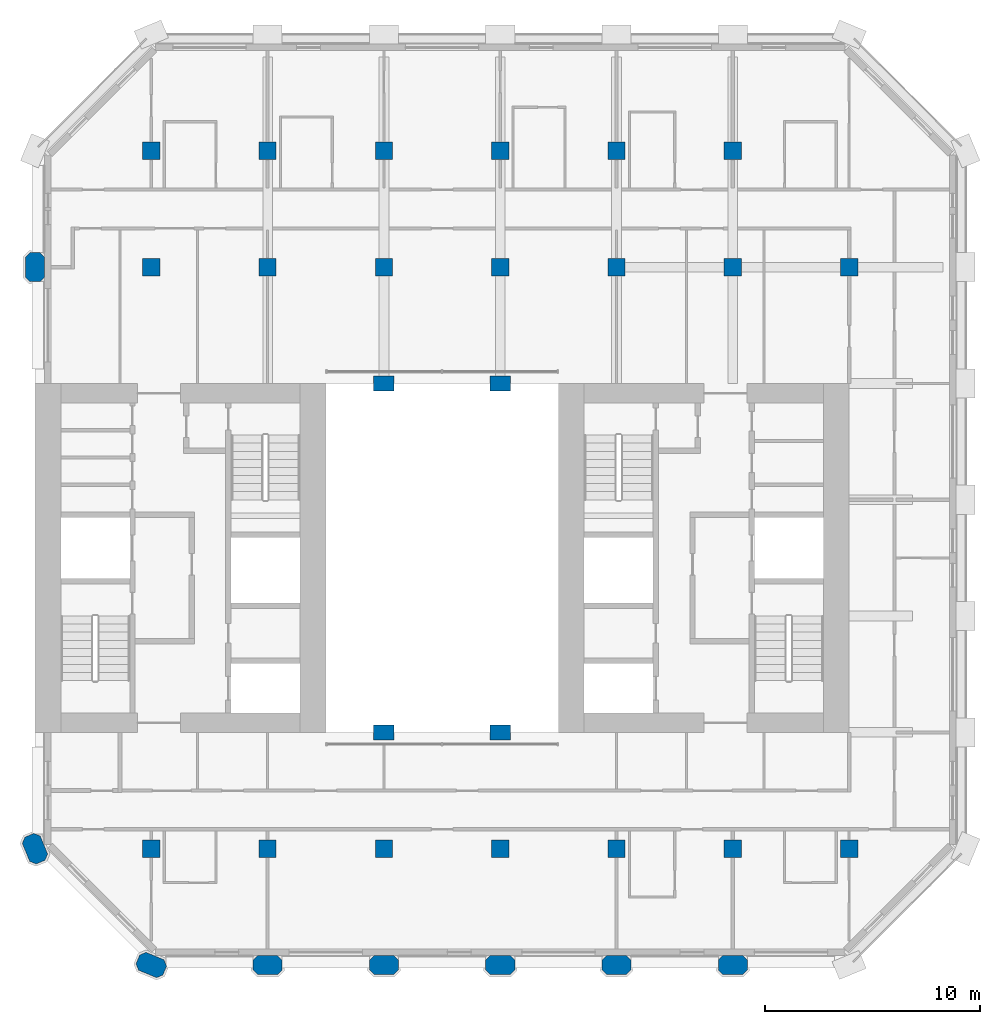
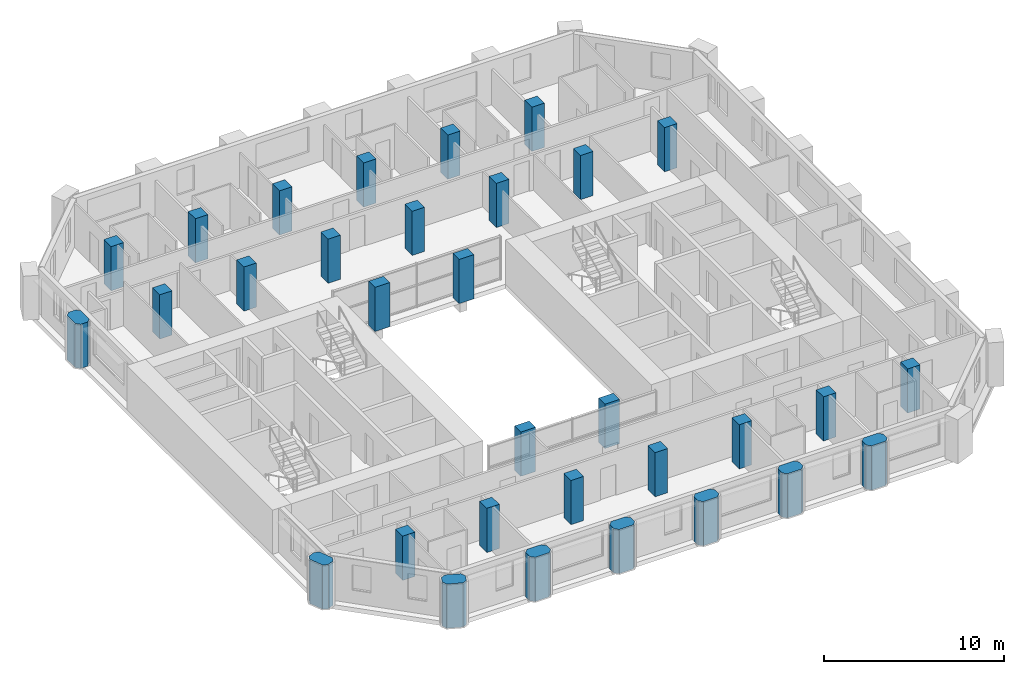
# One storey, part 1 of 12: 32 columns.
"""IFC4 building model written with IfcOpenShell, lengths in metres."""

from ifc_helpers import new_model, si_unit, direction, frame, origin, origin_2d, place, context, subcontext, project, spatial, polyline, rectangle, outline, extrude, material, material_profile, profile_set, type_object, element, save


model = new_model("IFC4")

# Units and contexts
model_context = context("Model", 3, precision=1e-05, world=origin(), true_north=direction((0.0, 1.0)))
body_context = subcontext(model_context, "Body", "Model", "MODEL_VIEW")
ifc_project = project(units=[si_unit("LENGTHUNIT", "METRE"), si_unit("AREAUNIT", "SQUARE_METRE"), si_unit("VOLUMEUNIT", "CUBIC_METRE"), si_unit("PLANEANGLEUNIT", "RADIAN"), si_unit("MASSUNIT", "GRAM", prefix="KILO")], contexts=[model_context])

# Site, building, storey
site_placement = place(None, origin())
site = spatial("IfcSite", under=ifc_project, at=site_placement, CompositionType="ELEMENT")
building_placement = place(site_placement, origin())
building = spatial("IfcBuilding", under=site, at=building_placement, Name="Tabaq Tower and Sports Hall", CompositionType="ELEMENT")
storey_placement = place(building_placement, frame((0.0, 0.0, 197.199951171875)))
storey = spatial("IfcBuildingStorey", under=building, at=storey_placement, Name="L48", CompositionType="ELEMENT", Elevation=197.199951171875)

# Columns
ifc_material_1 = material(Name="Concrete C50/60", Category="concrete")
ifc_material_profile_1 = material_profile(ifc_material_1, rectangle(XDim=0.949951171875, YDim=0.699951171875, at=origin_2d()), Name="ATRIUM COLUMN 950x700")
ifc_profile_set_1 = profile_set([ifc_material_profile_1], Name="Concrete C50/60")
column_type_1 = type_object("IfcColumnType", Name="RC COLUMN ATRIUM COLUMN 950x700 C50/60", PredefinedType="COLUMN", material=ifc_profile_set_1)
for number, where, z_axis, x_axis, name in (
    (1, (21.60009765625, 16.199951171875, 0.0), (0.0, 0.0, 1.0), (1.0, 0.0, 0.0), "Atrium Column 5/D L48"),
    (2, (27.0, 16.199951171875, 0.0), (0.0, 0.0, 1.0), (1.0, 0.0, 0.0), "Atrium Column 6/D L48"),
    (3, (21.60009765625, 32.39990234375, 0.0), (0.0, 0.0, 1.0), (1.0, 0.0, 0.0), "Atrium Column 5/G L48"),
    (4, (27.0, 32.39990234375, 0.0), (0.0, 0.0, 1.0), (1.0, 0.0, 0.0), "Atrium Column 6/G L48"),
):
    element("IfcColumn", number, at=place(storey_placement, frame(where, z_axis=z_axis, x_axis=x_axis)), inside=storey, type_object=column_type_1, Name=name, PredefinedType="COLUMN", context=body_context, shape_type="SweptSolid", body=[
        extrude(rectangle(XDim=0.949951171875, YDim=0.699951171875, at=origin_2d()), origin(), (0.0, 0.0, 1.0), 3.0),
    ])
ifc_material_2 = material(Name="Concrete C50/60", Category="concrete")
ifc_material_profile_2 = material_profile(ifc_material_2, rectangle(XDim=0.800048828125, YDim=0.800048828125, at=origin_2d()), Name="COLUMN 800x800")
ifc_profile_set_2 = profile_set([ifc_material_profile_2], Name="Concrete C50/60")
column_type_2 = type_object("IfcColumnType", Name="RC COLUMN COLUMN 800x800 C50/60", PredefinedType="COLUMN", material=ifc_profile_set_2)
for number, where, z_axis, x_axis, name in (
    (5, (10.800048828125, 10.800048828125, 0.0), (0.0, 0.0, 1.0), (1.0, 0.0, 0.0), "Column 3/C L48"),
    (6, (16.199951171875, 10.800048828125, 0.0), (0.0, 0.0, 1.0), (1.0, 0.0, 0.0), "Column 4/C L48"),
    (7, (21.60009765625, 10.800048828125, 0.0), (0.0, 0.0, 1.0), (1.0, 0.0, 0.0), "Column 5/C L48"),
    (8, (27.0, 10.800048828125, 0.0), (0.0, 0.0, 1.0), (1.0, 0.0, 0.0), "Column 6/C L48"),
    (9, (32.39990234375, 10.800048828125, 0.0), (0.0, 0.0, 1.0), (1.0, 0.0, 0.0), "Column 7/C L48"),
    (10, (37.800048828125, 10.800048828125, 0.0), (0.0, 0.0, 1.0), (1.0, 0.0, 0.0), "Column 8/C L48"),
    (11, (43.199951171875, 10.800048828125, 0.0), (0.0, 0.0, 1.0), (1.0, 0.0, 0.0), "Column 9/C L48"),
    (12, (10.800048828125, 37.800048828125, 0.0), (0.0, 0.0, 1.0), (1.0, 0.0, 0.0), "Column 3/H L48"),
    (13, (16.199951171875, 37.800048828125, 0.0), (0.0, 0.0, 1.0), (1.0, 0.0, 0.0), "Column 4/H L48"),
    (14, (21.60009765625, 37.800048828125, 0.0), (0.0, 0.0, 1.0), (1.0, 0.0, 0.0), "Column 5/H L48"),
    (15, (27.0, 37.800048828125, 0.0), (0.0, 0.0, 1.0), (1.0, 0.0, 0.0), "Column 6/H L48"),
    (16, (32.39990234375, 37.800048828125, 0.0), (0.0, 0.0, 1.0), (1.0, 0.0, 0.0), "Column 7/H L48"),
    (17, (37.800048828125, 37.800048828125, 0.0), (0.0, 0.0, 1.0), (1.0, 0.0, 0.0), "Column 8/H L48"),
    (18, (43.199951171875, 37.800048828125, 0.0), (0.0, 0.0, 1.0), (1.0, 0.0, 0.0), "Column 9/H L48"),
    (19, (10.800048828125, 43.199951171875, 0.0), (0.0, 0.0, 1.0), (1.0, 0.0, 0.0), "Column 3/I L48"),
    (20, (16.199951171875, 43.199951171875, 0.0), (0.0, 0.0, 1.0), (1.0, 0.0, 0.0), "Column 4/I L48"),
    (21, (21.60009765625, 43.199951171875, 0.0), (0.0, 0.0, 1.0), (1.0, 0.0, 0.0), "Column 5/I L48"),
    (22, (27.0, 43.199951171875, 0.0), (0.0, 0.0, 1.0), (1.0, 0.0, 0.0), "Column 6/I L48"),
    (23, (32.39990234375, 43.199951171875, 0.0), (0.0, 0.0, 1.0), (1.0, 0.0, 0.0), "Column 7/I L48"),
    (24, (37.800048828125, 43.199951171875, 0.0), (0.0, 0.0, 1.0), (1.0, 0.0, 0.0), "Column 8/I L48"),
):
    element("IfcColumn", number, at=place(storey_placement, frame(where, z_axis=z_axis, x_axis=x_axis)), inside=storey, type_object=column_type_2, Name=name, PredefinedType="COLUMN", context=body_context, shape_type="SweptSolid", body=[
        extrude(rectangle(XDim=0.800048828125, YDim=0.800048828125, at=origin_2d()), origin(), (0.0, 0.0, 1.0), 3.0),
    ])
ifc_material_3 = material(Name="Concrete C50/60", Category="concrete")
ifc_material_profile_3 = material_profile(ifc_material_3, outline(polyline([(-0.449951171875, -0.449951171875), (0.449951171875, -0.449951171875), (0.675048828125, -0.22509765625), (0.675048828125, 0.22509765625), (0.449951171875, 0.449951171875), (-0.449951171875, 0.449951171875), (-0.675048828125, 0.22509765625), (-0.675048828125, -0.22509765625), (-0.449951171875, -0.449951171875)])), Name="PIER 1350x900")
ifc_profile_set_3 = profile_set([ifc_material_profile_3], Name="Concrete C50/60")
column_type_3 = type_object("IfcColumnType", Name="RC COLUMN PIER 1350x900 C50/60", PredefinedType="COLUMN", material=ifc_profile_set_3)
for number, where, z_axis, x_axis, name in (
    (25, (10.800048828125, 5.39990234375, 0.0), (0.0, 0.0, 1.0), (-0.923879532511, 0.382683432365, 0.0), "Pier 3/B L48"),
    (26, (16.199951171875, 5.39990234375, 0.0), (0.0, 0.0, 1.0), (1.0, 0.0, 0.0), "Pier 4/B L48"),
    (27, (21.60009765625, 5.39990234375, 0.0), (0.0, 0.0, 1.0), (1.0, 0.0, 0.0), "Pier 5/B L48"),
    (28, (27.0, 5.39990234375, 0.0), (0.0, 0.0, 1.0), (1.0, 0.0, 0.0), "Pier 6/B L48"),
    (29, (32.39990234375, 5.39990234375, 0.0), (0.0, 0.0, 1.0), (1.0, 0.0, 0.0), "Pier 7/B L48"),
    (30, (37.800048828125, 5.39990234375, 0.0), (0.0, 0.0, 1.0), (1.0, 0.0, 0.0), "Pier 8/B L48"),
    (31, (5.39990234375, 10.800048828125, 0.0), (0.0, 0.0, 1.0), (-0.382683432365, 0.923879532511, 0.0), "Pier 2/C L48"),
    (32, (5.39990234375, 37.800048828125, 0.0), (0.0, 0.0, 1.0), (0.0, 1.0, 0.0), "Pier 2/H L48"),
):
    element("IfcColumn", number, at=place(storey_placement, frame(where, z_axis=z_axis, x_axis=x_axis)), inside=storey, type_object=column_type_3, Name=name, PredefinedType="COLUMN", context=body_context, shape_type="SweptSolid", body=[
        extrude(outline(polyline([(-0.449951171875, -0.449951171875), (0.449951171875, -0.449951171875), (0.675048828125, -0.22509765625), (0.675048828125, 0.22509765625), (0.449951171875, 0.449951171875), (-0.449951171875, 0.449951171875), (-0.675048828125, 0.22509765625), (-0.675048828125, -0.22509765625), (-0.449951171875, -0.449951171875)])), origin(), (0.0, 0.0, 1.0), 3.0),
    ])

save(model, "model.ifc")
